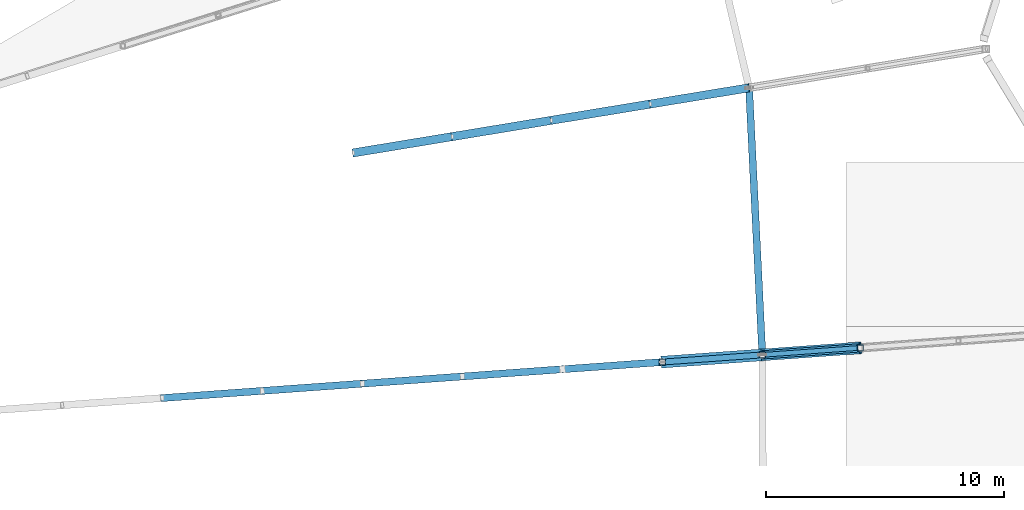
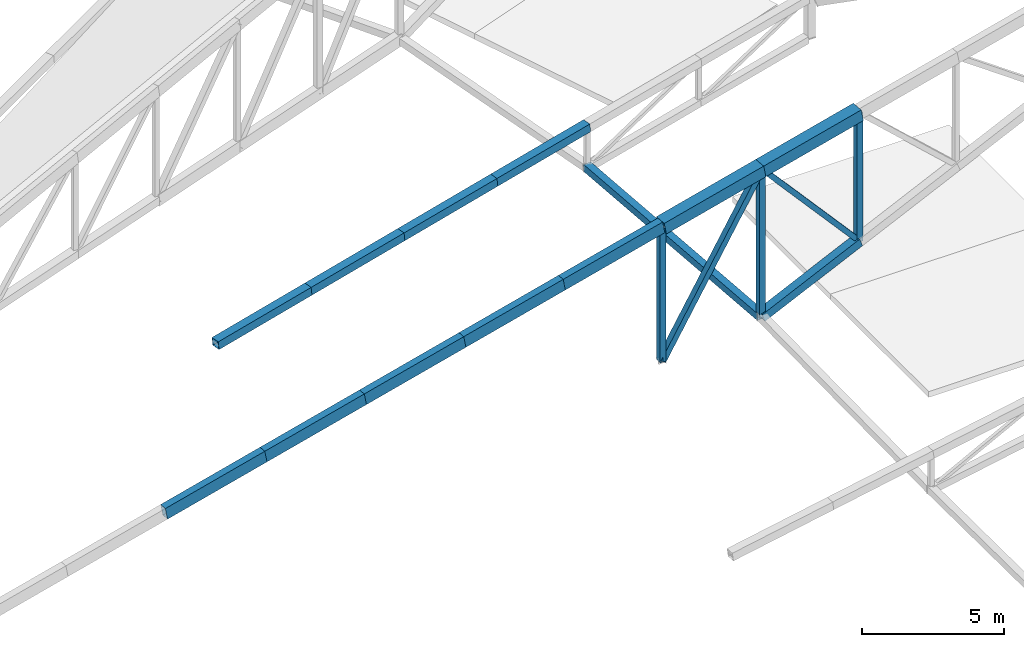
# One storey, part 93 of 188: 18 members.
"""IFC4 building model written with IfcOpenShell, lengths in metres."""

from ifc_helpers import new_model, si_unit, direction, frame, origin, origin_2d, place, context, subcontext, project, spatial, hollow_rectangle, extrude, material, material_profile, profile_set, type_object, element, save


model = new_model("IFC4")

# Units and contexts
model_context = context("Model", 3, precision=1e-05, world=origin(), true_north=direction((0.0, 1.0)))
body_context = subcontext(model_context, "Body", "Model", "MODEL_VIEW")
ifc_project = project(units=[si_unit("LENGTHUNIT", "METRE"), si_unit("AREAUNIT", "SQUARE_METRE"), si_unit("VOLUMEUNIT", "CUBIC_METRE"), si_unit("PLANEANGLEUNIT", "RADIAN"), si_unit("MASSUNIT", "GRAM", prefix="KILO")], contexts=[model_context])

# Site, building, storey
site_placement = place(None, origin())
site = spatial("IfcSite", under=ifc_project, at=site_placement, CompositionType="ELEMENT")
building_placement = place(site_placement, origin())
building = spatial("IfcBuilding", under=site, at=building_placement, Name="Meseta Stadium", CompositionType="ELEMENT")
storey_placement = place(building_placement, frame((0.0, 0.0, 30.0)))
storey = spatial("IfcBuildingStorey", under=building, at=storey_placement, Name="ROOF", CompositionType="ELEMENT", Elevation=30.0)

# Members
ifc_material_1 = material(Name="Steel S355", Category="steel")
ifc_material_profile_1 = material_profile(ifc_material_1, hollow_rectangle(XDim=0.300048828125, YDim=0.5, WallThickness=0.01611328125, at=origin_2d()), Name="RHS 500x300x16")
ifc_profile_set_1 = profile_set([ifc_material_profile_1], Name="Steel S355")
member_type_1 = type_object("IfcMemberType", Name="RHS 500x300x16 top chord", PredefinedType="CHORD", material=ifc_profile_set_1)
for number, where, z_axis, x_axis, name in (
    (1, (59.6162109375, 40.743408203125, 2.556884765625), (0.979974658819, 0.07050136531, 0.186223590238), (-0.07175657498, 0.997422174381, 0.0), "ROOF TRUSS RT-08 top chord"),
    (2, (63.82763671875, 41.04638671875, 3.357177734375), (0.979972406129, 0.07050529051, 0.186233958333), (-0.071760713601, 0.997421876632, 0.0), "ROOF TRUSS RT-08 top chord"),
    (3, (68.038818359375, 41.349365234375, 4.157470703125), (0.979972406129, 0.07050529051, 0.186233958333), (-0.071760713601, 0.997421876632, 0.0), "ROOF TRUSS RT-08 top chord"),
):
    element("IfcMember", number, at=place(storey_placement, frame(where, z_axis=z_axis, x_axis=x_axis)), inside=storey, type_object=member_type_1, Name=name, PredefinedType="CHORD", context=body_context, shape_type="SweptSolid", body=[
        extrude(hollow_rectangle(XDim=0.300048828125, YDim=0.5, WallThickness=0.01611328125, at=origin_2d()), origin(), (0.0, 0.0, 1.0), 4.29736328125),
    ])
member_1_placement = place(storey_placement, frame((72.25, 41.65234375, 4.957763671875), z_axis=(0.979970732276, 0.070557892724, 0.186222844081), x_axis=(-0.071814098474, 0.997418034357, 0.0)))
element("IfcMember", 4, at=member_1_placement, inside=storey, type_object=member_type_1, Name="ROOF TRUSS RT-08 top chord", PredefinedType="CHORD", context=body_context, shape_type="SweptSolid", body=[
    extrude(hollow_rectangle(XDim=0.300048828125, YDim=0.5, WallThickness=0.01611328125, at=origin_2d()), origin(), (0.0, 0.0, 1.0), 4.297607421875),
])
member_2_placement = place(storey_placement, frame((76.46142578125, 41.95556640625, 5.758056640625), z_axis=(0.979972406129, 0.07050529051, 0.186233958333), x_axis=(-0.071760713601, 0.997421876632, 0.0)))
element("IfcMember", 5, at=member_2_placement, inside=storey, type_object=member_type_1, Name="ROOF TRUSS RT-08 top chord", PredefinedType="CHORD", context=body_context, shape_type="SweptSolid", body=[
    extrude(hollow_rectangle(XDim=0.300048828125, YDim=0.5, WallThickness=0.01611328125, at=origin_2d()), origin(), (0.0, 0.0, 1.0), 4.29736328125),
])
ifc_material_2 = material(Name="Steel S355", Category="steel")
ifc_material_profile_2 = material_profile(ifc_material_2, hollow_rectangle(XDim=0.199951171875, YDim=0.199951171875, WallThickness=0.008056640625, at=origin_2d()), Name="SHS 200x200x8")
ifc_profile_set_2 = profile_set([ifc_material_profile_2], Name="Steel S355")
member_type_2 = type_object("IfcMemberType", Name="SHS 200x200x8 diagonal", PredefinedType="BRACE", material=ifc_profile_set_2)
member_3_placement = place(storey_placement, frame((84.884033203125, 42.5615234375, 7.358642578125), z_axis=(0.658035830009, 0.047352743917, -0.751496216935), x_axis=(-0.071775139582, 0.997420838632, 0.0)))
element("IfcMember", 6, at=member_3_placement, inside=storey, type_object=member_type_2, Name="ROOF TRUSS RT-08 diagonal", PredefinedType="BRACE", context=body_context, shape_type="SweptSolid", body=[
    extrude(hollow_rectangle(XDim=0.199951171875, YDim=0.199951171875, WallThickness=0.008056640625, at=origin_2d()), origin(), (0.0, 0.0, 1.0), 6.274658203125),
])
ifc_material_3 = material(Name="Steel S355", Category="steel")
ifc_material_profile_3 = material_profile(ifc_material_3, hollow_rectangle(XDim=0.25, YDim=0.25, WallThickness=0.010009765625, at=origin_2d()), Name="SHS 250x250x10")
ifc_profile_set_3 = profile_set([ifc_material_profile_3], Name="Steel S355")
member_type_3 = type_object("IfcMemberType", Name="SHS 250x250x10 diagonal", PredefinedType="BRACE", material=ifc_profile_set_3)
member_4_placement = place(storey_placement, frame((80.672607421875, 42.258544921875, 0.773193359375), z_axis=(0.538353419009, 0.038730237275, 0.841828702861), x_axis=(-0.07175657498, 0.997422174381, 0.0)))
element("IfcMember", 7, at=member_4_placement, inside=storey, type_object=member_type_3, Name="ROOF TRUSS RT-08 diagonal", PredefinedType="BRACE", context=body_context, shape_type="SweptSolid", body=[
    extrude(hollow_rectangle(XDim=0.25, YDim=0.25, WallThickness=0.010009765625, at=origin_2d()), origin(), (0.0, 0.0, 1.0), 7.82275390625),
])
ifc_material_4 = material(Name="Steel S355", Category="steel")
ifc_material_profile_4 = material_profile(ifc_material_4, hollow_rectangle(XDim=0.25, YDim=0.25, WallThickness=0.010009765625, at=origin_2d()), Name="SHS 250x250x10")
ifc_profile_set_4 = profile_set([ifc_material_profile_4], Name="Steel S355")
member_type_4 = type_object("IfcMemberType", Name="SHS 250x250x10 post", PredefinedType="POST", material=ifc_profile_set_4)
member_5_placement = place(storey_placement, frame((80.672607421875, 42.258544921875, 0.773193359375), z_axis=(0.0, 0.0, 1.0), x_axis=(1.0, 0.0, 0.0)))
element("IfcMember", 8, at=member_5_placement, inside=storey, type_object=member_type_4, Name="ROOF TRUSS RT-08 post", PredefinedType="POST", context=body_context, shape_type="SweptSolid", body=[
    extrude(hollow_rectangle(XDim=0.25, YDim=0.25, WallThickness=0.010009765625, at=origin_2d()), origin(), (0.0, 0.0, 1.0), 5.78515625),
])
member_6_placement = place(storey_placement, frame((84.884033203125, 42.5615234375, 1.025390625), z_axis=(0.0, 0.0, 1.0), x_axis=(1.0, 0.0, 0.0)))
element("IfcMember", 9, at=member_6_placement, inside=storey, type_object=member_type_4, Name="ROOF TRUSS RT-08 post", PredefinedType="POST", context=body_context, shape_type="SweptSolid", body=[
    extrude(hollow_rectangle(XDim=0.25, YDim=0.25, WallThickness=0.010009765625, at=origin_2d()), origin(), (0.0, 0.0, 1.0), 6.333251953125),
])
member_7_placement = place(storey_placement, frame((89.012939453125, 42.858642578125, 2.643310546875), z_axis=(0.0, 0.0, 1.0), x_axis=(1.0, 0.0, 0.0)))
element("IfcMember", 10, at=member_7_placement, inside=storey, type_object=member_type_4, Name="ROOF TRUSS RT-08 post", PredefinedType="POST", context=body_context, shape_type="SweptSolid", body=[
    extrude(hollow_rectangle(XDim=0.25, YDim=0.25, WallThickness=0.010009765625, at=origin_2d()), origin(), (0.0, 0.0, 1.0), 5.5),
])
ifc_material_5 = material(Name="Steel S355", Category="steel")
ifc_material_profile_5 = material_profile(ifc_material_5, hollow_rectangle(XDim=0.300048828125, YDim=0.300048828125, WallThickness=0.010009765625, at=origin_2d()), Name="SHS 300x300x10")
ifc_profile_set_5 = profile_set([ifc_material_profile_5], Name="Steel S355")
member_type_5 = type_object("IfcMemberType", Name="SHS 300x300x10 pivot strut", PredefinedType="STRUT", material=ifc_profile_set_5)
member_8_placement = place(storey_placement, frame((84.884033203125, 42.5615234375, 1.025390625), z_axis=(-0.049647427501, 0.998566148841, -0.020019473824), x_axis=(-0.998766311346, -0.049657379323, 0.0)))
element("IfcMember", 11, at=member_8_placement, inside=storey, type_object=member_type_5, Name="ROOF PIVOT STRUT RT-08/09", PredefinedType="STRUT", context=body_context, shape_type="SweptSolid", body=[
    extrude(hollow_rectangle(XDim=0.300048828125, YDim=0.300048828125, WallThickness=0.010009765625, at=origin_2d()), origin(), (0.0, 0.0, 1.0), 11.256103515625),
])
ifc_material_6 = material(Name="Steel S355", Category="steel")
ifc_material_profile_6 = material_profile(ifc_material_6, hollow_rectangle(XDim=0.35009765625, YDim=0.35009765625, WallThickness=0.010009765625, at=origin_2d()), Name="SHS 350x350x10")
ifc_profile_set_6 = profile_set([ifc_material_profile_6], Name="Steel S355")
member_type_6 = type_object("IfcMemberType", Name="SHS 350x350x10 bottom chord", PredefinedType="CHORD", material=ifc_profile_set_6)
member_9_placement = place(storey_placement, frame((84.884033203125, 42.5615234375, 1.025390625), z_axis=(0.928986856662, 0.06685057974, 0.364025301508), x_axis=(-0.071775139582, 0.997420838632, 0.0)))
element("IfcMember", 12, at=member_9_placement, inside=storey, type_object=member_type_6, Name="ROOF TRUSS RT-08 bottom chord", PredefinedType="CHORD", context=body_context, shape_type="SweptSolid", body=[
    extrude(hollow_rectangle(XDim=0.35009765625, YDim=0.35009765625, WallThickness=0.010009765625, at=origin_2d()), origin(), (0.0, 0.0, 1.0), 4.444580078125),
])
ifc_material_7 = material(Name="Steel S355", Category="steel")
ifc_material_profile_7 = material_profile(ifc_material_7, hollow_rectangle(XDim=0.35009765625, YDim=0.35009765625, WallThickness=0.010009765625, at=origin_2d()), Name="SHS 350x350x10")
ifc_profile_set_7 = profile_set([ifc_material_profile_7], Name="Steel S355")
member_type_7 = type_object("IfcMemberType", Name="SHS 350x350x10 top chord", PredefinedType="CHORD", material=ifc_profile_set_7)
member_10_placement = place(storey_placement, frame((67.660400390625, 51.060302734375, 0.70556640625), z_axis=(0.980863294148, 0.161340947358, 0.108978424008), x_axis=(-0.162307632911, 0.986740205069, 0.0)))
element("IfcMember", 13, at=member_10_placement, inside=storey, type_object=member_type_7, Name="ROOF TRUSS RT-09 top chord", PredefinedType="CHORD", context=body_context, shape_type="SweptSolid", body=[
    extrude(hollow_rectangle(XDim=0.35009765625, YDim=0.35009765625, WallThickness=0.010009765625, at=origin_2d()), origin(), (0.0, 0.0, 1.0), 4.24755859375),
])
member_11_placement = place(storey_placement, frame((71.82666015625, 51.74560546875, 1.16845703125), z_axis=(0.980867258247, 0.161351054495, 0.108927769244), x_axis=(-0.162316894015, 0.986738681677, 0.0)))
element("IfcMember", 14, at=member_11_placement, inside=storey, type_object=member_type_7, Name="ROOF TRUSS RT-09 top chord", PredefinedType="CHORD", context=body_context, shape_type="SweptSolid", body=[
    extrude(hollow_rectangle(XDim=0.35009765625, YDim=0.35009765625, WallThickness=0.010009765625, at=origin_2d()), origin(), (0.0, 0.0, 1.0), 4.247314453125),
])
for number, where, z_axis, x_axis, name in (
    (15, (75.99267578125, 52.430908203125, 1.631103515625), (0.980863294148, 0.161340947358, 0.108978424008), (-0.162307632911, 0.986740205069, 0.0), "ROOF TRUSS RT-09 top chord"),
    (16, (80.158935546875, 53.1162109375, 2.093994140625), (0.980863294148, 0.161340947358, 0.108978424008), (-0.162307632911, 0.986740205069, 0.0), "ROOF TRUSS RT-09 top chord"),
):
    element("IfcMember", number, at=place(storey_placement, frame(where, z_axis=z_axis, x_axis=x_axis)), inside=storey, type_object=member_type_7, Name=name, PredefinedType="CHORD", context=body_context, shape_type="SweptSolid", body=[
        extrude(hollow_rectangle(XDim=0.35009765625, YDim=0.35009765625, WallThickness=0.010009765625, at=origin_2d()), origin(), (0.0, 0.0, 1.0), 4.24755859375),
    ])
ifc_material_8 = material(Name="Steel S355", Category="steel")
ifc_material_profile_8 = material_profile(ifc_material_8, hollow_rectangle(XDim=0.5, YDim=0.5, WallThickness=0.01611328125, at=origin_2d()), Name="SHS 500x500x16")
ifc_profile_set_8 = profile_set([ifc_material_profile_8], Name="Steel S355")
member_type_8 = type_object("IfcMemberType", Name="SHS 500x500x16 top chord", PredefinedType="CHORD", material=ifc_profile_set_8)
member_12_placement = place(storey_placement, frame((80.672607421875, 42.258544921875, 6.558349609375), z_axis=(0.979974658819, 0.07050136531, 0.186223590238), x_axis=(-0.07175657498, 0.997422174381, 0.0)))
element("IfcMember", 17, at=member_12_placement, inside=storey, type_object=member_type_8, Name="ROOF TRUSS RT-08 top chord", PredefinedType="CHORD", context=body_context, shape_type="SweptSolid", body=[
    extrude(hollow_rectangle(XDim=0.5, YDim=0.5, WallThickness=0.01611328125, at=origin_2d()), origin(), (0.0, 0.0, 1.0), 4.29736328125),
])
member_13_placement = place(storey_placement, frame((84.884033203125, 42.5615234375, 7.358642578125), z_axis=(0.979970961837, 0.070519433571, 0.186236203367), x_axis=(-0.071775139582, 0.997420838632, 0.0)))
element("IfcMember", 18, at=member_13_placement, inside=storey, type_object=member_type_8, Name="ROOF TRUSS RT-08 top chord", PredefinedType="CHORD", context=body_context, shape_type="SweptSolid", body=[
    extrude(hollow_rectangle(XDim=0.5, YDim=0.5, WallThickness=0.01611328125, at=origin_2d()), origin(), (0.0, 0.0, 1.0), 4.21337890625),
])

save(model, "model.ifc")
